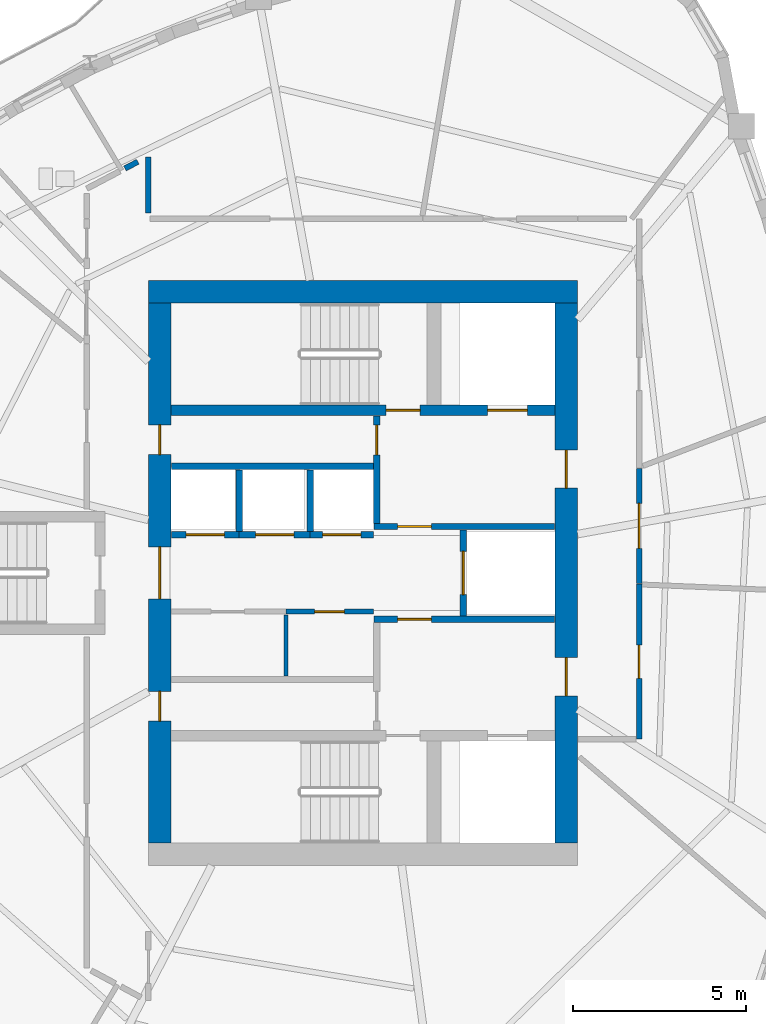
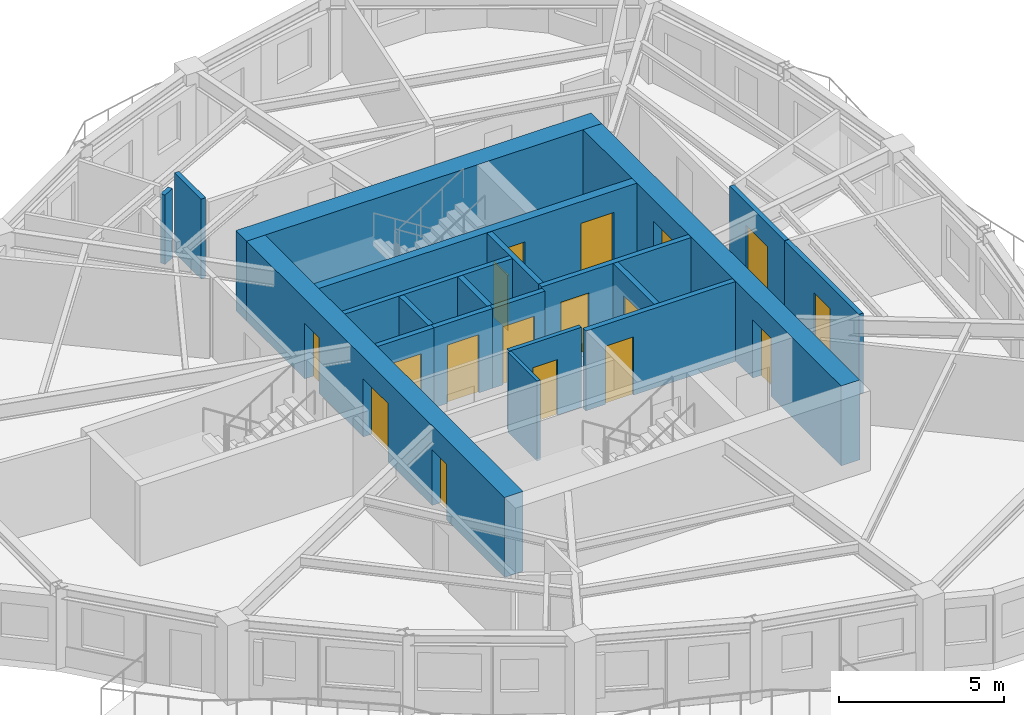
# One storey, part 5 of 11: 20 walls, 17 doors, 17 openings.
"""IFC4 building model written with IfcOpenShell, lengths in metres."""

from ifc_helpers import new_model, si_unit, direction, frame, frame_2d, origin, place, context, subcontext, project, spatial, rectangle, extrude, source, transform, mapped, material, layer, layer_set, type_object, element, fill, save


model = new_model("IFC4")

# Units and contexts
model_context = context("Model", 3, precision=1e-05, world=origin(), true_north=direction((0.0, 1.0)))
body_context = subcontext(model_context, "Body", "Model", "MODEL_VIEW")
ifc_project = project(units=[si_unit("LENGTHUNIT", "METRE"), si_unit("AREAUNIT", "SQUARE_METRE"), si_unit("VOLUMEUNIT", "CUBIC_METRE"), si_unit("PLANEANGLEUNIT", "RADIAN"), si_unit("MASSUNIT", "GRAM", prefix="KILO")], contexts=[model_context])

# Site, building, storey
site_placement = place(None, origin())
site = spatial("IfcSite", under=ifc_project, at=site_placement, CompositionType="ELEMENT")
building_placement = place(site_placement, origin())
building = spatial("IfcBuilding", under=site, at=building_placement, Name="Qafzar Sky-Pleat Residences", CompositionType="ELEMENT")
storey_placement = place(building_placement, frame((0.0, 0.0, 165.0)))
storey = spatial("IfcBuildingStorey", under=building, at=storey_placement, Name="L49", CompositionType="ELEMENT", Elevation=165.0)

# Wall, opening, door
ifc_material_1 = material(Name="Acoustic gypsum plasterboard partition", Category="gypsum")
ifc_layer_1 = layer(ifc_material_1, 0.159912109375)
ifc_layer_set_1 = layer_set([ifc_layer_1], Name="Acoustic gypsum plasterboard partition")
wall_type_1 = type_object("IfcWallType", Name="PART-COR-160", PredefinedType="PARTITIONING", material=ifc_layer_set_1)
wall_1_placement = place(storey_placement, frame((38.330078125, 25.68310546875, 0.0), z_axis=(0.0, 0.0, 1.0), x_axis=(0.0, -1.0, 0.0)))
wall_1 = element("IfcWall", 1, at=wall_1_placement, inside=storey, type_object=wall_type_1, Name="L49 Partition Wall PART-L49-PW-005", PredefinedType="PARTITIONING", context=body_context, shape_type="SweptSolid", body=[
    extrude(rectangle(XDim=4.483154296875, YDim=0.159912109375, at=frame_2d((2.24169921875, 0.0))), origin(), (0.0, 0.0, 1.0), 2.949951171875),
])
opening_1_placement = place(wall_1_placement, frame((1.76904296875, 0.0, 0.0)))
opening_1 = element("IfcOpeningElement", 2, at=opening_1_placement, cuts=wall_1, Name="Opening ID-06", PredefinedType="OPENING", context=body_context, shape_type="SweptSolid", body=[
    extrude(rectangle(XDim=0.9599609375, YDim=2.10009765625, at=frame_2d((0.47998046875, 1.050048828125))), frame((0.0, 0.08984375, 0.0), z_axis=(0.0, -1.0, 0.0), x_axis=(1.0, 0.0, 0.0)), (0.0, 0.0, 1.0), 0.179931640625),
])
ifc_material_2 = material(Name="Timber-faced fire door", Category="wood")
door_type_1 = type_object("IfcDoorType", Name="DR-STD-960", OperationType="NOTDEFINED", PredefinedType="DOOR", material=ifc_material_2)
shared_shape_1 = source(origin(), body_context, "Body", "SweptSolid", [
    extrude(rectangle(XDim=0.9599609375, YDim=2.10009765625, at=frame_2d((0.47998046875, 1.050048828125))), frame((0.0, 0.02490234375, 0.0), z_axis=(0.0, -1.0, 0.0), x_axis=(1.0, 0.0, 0.0)), (0.0, 0.0, 1.0), 0.050048828125),
])
door_1_placement = place(opening_1_placement, origin())
door_1 = element("IfcDoor", 3, at=door_1_placement, inside=storey, type_object=door_type_1, Name="L49 Wellness Yoga Studio Door", OperationType="SINGLE_SWING_RIGHT", OverallHeight=2.10009765625, OverallWidth=0.9599609375, PredefinedType="DOOR", context=body_context, shape_type="MappedRepresentation", body=[
    mapped(shared_shape_1, transform((0.0, 0.0, 0.0), x_axis=(1.0, 0.0, 0.0), y_axis=(0.0, 1.0, 0.0), z_axis=(0.0, 0.0, 1.0), scale=1.0)),
])
fill(opening_1, door_1)

wall_2_placement = place(storey_placement, frame((38.330078125, 29.01904296875, 0.0), z_axis=(0.0, 0.0, 1.0), x_axis=(0.0, -1.0, 0.0)))
wall_2 = element("IfcWall", 4, at=wall_2_placement, inside=storey, type_object=wall_type_1, Name="L49 Partition Wall PART-L49-PW-007", PredefinedType="PARTITIONING", context=body_context, shape_type="SweptSolid", body=[
    extrude(rectangle(XDim=3.321044921875, YDim=0.159912109375, at=frame_2d((1.66064453125, 0.0))), origin(), (0.0, 0.0, 1.0), 2.949951171875),
])
opening_2_placement = place(wall_2_placement, frame((1.010498046875, 0.0, 0.0)))
opening_2 = element("IfcOpeningElement", 5, at=opening_2_placement, cuts=wall_2, Name="Opening ID-05", PredefinedType="OPENING", context=body_context, shape_type="SweptSolid", body=[
    extrude(rectangle(XDim=1.300048828125, YDim=2.10009765625, at=frame_2d((0.64990234375, 1.050048828125))), frame((0.0, 0.08984375, 0.0), z_axis=(0.0, -1.0, 0.0), x_axis=(1.0, 0.0, 0.0)), (0.0, 0.0, 1.0), 0.179931640625),
])
door_type_2 = type_object("IfcDoorType", Name="DR-LNG-1300", OperationType="DOUBLE_DOOR_SINGLE_SWING", PredefinedType="DOOR", material=ifc_material_2)
shared_shape_2 = source(origin(), body_context, "Body", "SweptSolid", [
    extrude(rectangle(XDim=1.300048828125, YDim=2.10009765625, at=frame_2d((0.64990234375, 1.050048828125))), frame((0.0, 0.02490234375, 0.0), z_axis=(0.0, -1.0, 0.0), x_axis=(1.0, 0.0, 0.0)), (0.0, 0.0, 1.0), 0.050048828125),
])
door_2_placement = place(opening_2_placement, origin())
door_2 = element("IfcDoor", 6, at=door_2_placement, inside=storey, type_object=door_type_2, Name="L49 Co-Living Lounge Door", OperationType="DOUBLE_DOOR_SINGLE_SWING", OverallHeight=2.10009765625, OverallWidth=1.300048828125, PredefinedType="DOOR", context=body_context, shape_type="MappedRepresentation", body=[
    mapped(shared_shape_2, transform((0.0, 0.0, 0.0), x_axis=(1.0, 0.0, 0.0), y_axis=(0.0, 1.0, 0.0), z_axis=(0.0, 0.0, 1.0), scale=1.0)),
])
fill(opening_2, door_2)

# Walls
wall_3_placement = place(storey_placement, frame((24.14990234375, 36.404052734375, 0.0), z_axis=(0.0, 0.0, 1.0), x_axis=(0.0, 1.0, 0.0)))
element("IfcWall", 7, at=wall_3_placement, inside=storey, type_object=wall_type_1, Name="L49 Partition Wall PART-L49-PW-023", PredefinedType="PARTITIONING", context=body_context, shape_type="SweptSolid", body=[
    extrude(rectangle(XDim=1.61083984375, YDim=0.159912109375, at=frame_2d((0.805419921875, 0.0))), origin(), (0.0, 0.0, 1.0), 2.949951171875),
])
wall_4_placement = place(storey_placement, frame((23.4716796875, 37.686279296875, 0.0), z_axis=(0.0, 0.0, 1.0), x_axis=(0.884564737935, 0.466417435782, 0.0)))
element("IfcWall", 8, at=wall_4_placement, inside=storey, type_object=wall_type_1, Name="L49 Partition Wall PART-L49-PW-029", PredefinedType="PARTITIONING", context=body_context, shape_type="SweptSolid", body=[
    extrude(rectangle(XDim=0.419677734375, YDim=0.159912109375, at=frame_2d((0.2099609375, 0.0))), origin(), (0.0, 0.0, 1.0), 2.55810546875),
])

# Wall, opening, door
ifc_material_3 = material(Name="Concrete blockwork partition", Category="masonry")
ifc_layer_2 = layer(ifc_material_3, 0.179931640625)
ifc_layer_set_2 = layer_set([ifc_layer_2], Name="Concrete blockwork partition")
wall_type_2 = type_object("IfcWallType", Name="PART-SHAFT-180", PredefinedType="PARTITIONING", material=ifc_layer_set_2)
wall_5_placement = place(storey_placement, frame((30.669921875, 24.659912109375, 0.0), z_axis=(0.0, 0.0, 1.0), x_axis=(1.0, 0.0, 0.0)))
wall_5 = element("IfcWall", 9, at=wall_5_placement, inside=storey, type_object=wall_type_2, Name="L49 Partition Wall PART-L49-FFL1-N", PredefinedType="PARTITIONING", context=body_context, shape_type="SweptSolid", body=[
    extrude(rectangle(XDim=5.219970703125, YDim=0.179931640625, at=frame_2d((2.60986328125, 0.0))), origin(), (0.0, 0.0, 1.0), 2.949951171875),
])
opening_3_placement = place(wall_5_placement, frame((0.679931640625, 0.0, 0.0)))
opening_3 = element("IfcOpeningElement", 10, at=opening_3_placement, cuts=wall_5, Name="Opening ID-01", PredefinedType="OPENING", context=body_context, shape_type="SweptSolid", body=[
    extrude(rectangle(XDim=0.97998046875, YDim=2.14990234375, at=frame_2d((0.489990234375, 1.074951171875))), frame((0.0, 0.10009765625, 0.0), z_axis=(0.0, -1.0, 0.0), x_axis=(1.0, 0.0, 0.0)), (0.0, 0.0, 1.0), 0.199951171875),
])
door_type_3 = type_object("IfcDoorType", Name="DR-STAIR-980", OperationType="NOTDEFINED", PredefinedType="DOOR", material=ifc_material_2)
shared_shape_3 = source(origin(), body_context, "Body", "SweptSolid", [
    extrude(rectangle(XDim=0.97998046875, YDim=2.14990234375, at=frame_2d((0.489990234375, 1.074951171875))), frame((0.0, 0.02490234375, 0.0), z_axis=(0.0, -1.0, 0.0), x_axis=(1.0, 0.0, 0.0)), (0.0, 0.0, 1.0), 0.050048828125),
])
door_3_placement = place(opening_3_placement, origin())
door_3 = element("IfcDoor", 11, at=door_3_placement, inside=storey, type_object=door_type_3, Name="L49 Lift Lobby to South Firefighting Lobby Door", OperationType="SINGLE_SWING_LEFT", OverallHeight=2.14990234375, OverallWidth=0.97998046875, PredefinedType="DOOR", context=body_context, shape_type="MappedRepresentation", body=[
    mapped(shared_shape_3, transform((0.0, 0.0, 0.0), x_axis=(1.0, 0.0, 0.0), y_axis=(0.0, 1.0, 0.0), z_axis=(0.0, 0.0, 1.0), scale=1.0)),
])
fill(opening_3, door_3)

wall_6_placement = place(storey_placement, frame((30.75, 27.429931640625, 0.0), z_axis=(0.0, 0.0, 1.0), x_axis=(0.0, 1.0, 0.0)))
wall_6 = element("IfcWall", 12, at=wall_6_placement, inside=storey, type_object=wall_type_2, Name="L49 Partition Wall PART-L49-FFL2-W", PredefinedType="PARTITIONING", context=body_context, shape_type="SweptSolid", body=[
    extrude(rectangle(XDim=3.110107421875, YDim=0.179931640625, at=frame_2d((1.55517578125, 0.0))), origin(), (0.0, 0.0, 1.0), 2.949951171875),
])
opening_4_placement = place(wall_6_placement, frame((1.97998046875, 0.0, 0.0)))
opening_4 = element("IfcOpeningElement", 13, at=opening_4_placement, cuts=wall_6, Name="Opening ID-09", PredefinedType="OPENING", context=body_context, shape_type="SweptSolid", body=[
    extrude(rectangle(XDim=0.860107421875, YDim=2.050048828125, at=frame_2d((0.43017578125, 1.02490234375))), frame((0.0, 0.10009765625, 0.0), z_axis=(0.0, -1.0, 0.0), x_axis=(1.0, 0.0, 0.0)), (0.0, 0.0, 1.0), 0.199951171875),
])
door_type_4 = type_object("IfcDoorType", Name="DR-SVC-860", OperationType="NOTDEFINED", PredefinedType="DOOR", material=ifc_material_2)
shared_shape_4 = source(origin(), body_context, "Body", "SweptSolid", [
    extrude(rectangle(XDim=0.860107421875, YDim=2.050048828125, at=frame_2d((0.43017578125, 1.02490234375))), frame((0.0, 0.02490234375, 0.0), z_axis=(0.0, -1.0, 0.0), x_axis=(1.0, 0.0, 0.0)), (0.0, 0.0, 1.0), 0.050048828125),
])
door_4_placement = place(opening_4_placement, origin())
door_4 = element("IfcDoor", 14, at=door_4_placement, inside=storey, type_object=door_type_4, Name="L49 North Core Cupboard Door", OperationType="SINGLE_SWING_RIGHT", OverallHeight=2.050048828125, OverallWidth=0.860107421875, PredefinedType="DOOR", context=body_context, shape_type="MappedRepresentation", body=[
    mapped(shared_shape_4, transform((0.0, 0.0, 0.0), x_axis=(1.0, 0.0, 0.0), y_axis=(0.0, 1.0, 0.0), z_axis=(0.0, 0.0, 1.0), scale=1.0)),
])
fill(opening_4, door_4)

wall_7_placement = place(storey_placement, frame((30.669921875, 27.340087890625, 0.0), z_axis=(0.0, 0.0, 1.0), x_axis=(1.0, 0.0, 0.0)))
wall_7 = element("IfcWall", 15, at=wall_7_placement, inside=storey, type_object=wall_type_2, Name="L49 Partition Wall PART-L49-FFL2-S", PredefinedType="PARTITIONING", context=body_context, shape_type="SweptSolid", body=[
    extrude(rectangle(XDim=5.219970703125, YDim=0.179931640625, at=frame_2d((2.60986328125, 0.0))), origin(), (0.0, 0.0, 1.0), 2.949951171875),
])
opening_5_placement = place(wall_7_placement, frame((0.679931640625, 0.0, 0.0)))
opening_5 = element("IfcOpeningElement", 16, at=opening_5_placement, cuts=wall_7, Name="Opening ID-01", PredefinedType="OPENING", context=body_context, shape_type="SweptSolid", body=[
    extrude(rectangle(XDim=0.97998046875, YDim=2.14990234375, at=frame_2d((0.489990234375, 1.074951171875))), frame((0.0, 0.10009765625, 0.0), z_axis=(0.0, -1.0, 0.0), x_axis=(1.0, 0.0, 0.0)), (0.0, 0.0, 1.0), 0.199951171875),
])
door_5_placement = place(opening_5_placement, origin())
door_5 = element("IfcDoor", 17, at=door_5_placement, inside=storey, type_object=door_type_3, Name="L49 Lift Lobby to North Firefighting Lobby Door", OperationType="SINGLE_SWING_LEFT", OverallHeight=2.14990234375, OverallWidth=0.97998046875, PredefinedType="DOOR", context=body_context, shape_type="MappedRepresentation", body=[
    mapped(shared_shape_3, transform((0.0, 0.0, 0.0), x_axis=(1.0, 0.0, 0.0), y_axis=(0.0, 1.0, 0.0), z_axis=(0.0, 0.0, 1.0), scale=1.0)),
])
fill(opening_5, door_5)

wall_8_placement = place(storey_placement, frame((33.25, 24.760009765625, 0.0), z_axis=(0.0, 0.0, 1.0), x_axis=(0.0, 1.0, 0.0)))
wall_8 = element("IfcWall", 18, at=wall_8_placement, inside=storey, type_object=wall_type_2, Name="L49 Partition Wall PART-L49-SV1-W", PredefinedType="PARTITIONING", context=body_context, shape_type="SweptSolid", body=[
    extrude(rectangle(XDim=2.47998046875, YDim=0.179931640625, at=frame_2d((1.239990234375, 0.0))), origin(), (0.0, 0.0, 1.0), 2.949951171875),
])
opening_6_placement = place(wall_8_placement, frame((0.614990234375, 0.0, 0.0)))
opening_6 = element("IfcOpeningElement", 19, at=opening_6_placement, cuts=wall_8, Name="Opening LD-03", PredefinedType="OPENING", context=body_context, shape_type="SweptSolid", body=[
    extrude(rectangle(XDim=1.25, YDim=2.14990234375, at=frame_2d((0.625, 1.074951171875))), frame((0.0, 0.10009765625, 0.0), z_axis=(0.0, -1.0, 0.0), x_axis=(1.0, 0.0, 0.0)), (0.0, 0.0, 1.0), 0.199951171875),
])
ifc_material_4 = material(Name="Stainless steel sliding landing door", Category="steel")
door_type_5 = type_object("IfcDoorType", Name="DR-LIFT-SV", OperationType="DOUBLE_DOOR_SLIDING", PredefinedType="DOOR", material=ifc_material_4)
shared_shape_5 = source(origin(), body_context, "Body", "SweptSolid", [
    extrude(rectangle(XDim=1.25, YDim=2.14990234375, at=frame_2d((0.625, 1.074951171875))), frame((0.0, 0.02490234375, 0.0), z_axis=(0.0, -1.0, 0.0), x_axis=(1.0, 0.0, 0.0)), (0.0, 0.0, 1.0), 0.050048828125),
])
door_6_placement = place(opening_6_placement, origin())
door_6 = element("IfcDoor", 20, at=door_6_placement, inside=storey, type_object=door_type_5, Name="L49 Service Lift SV1 Landing Door", OperationType="DOUBLE_DOOR_SLIDING", OverallHeight=2.14990234375, OverallWidth=1.25, PredefinedType="DOOR", context=body_context, shape_type="MappedRepresentation", body=[
    mapped(shared_shape_5, transform((0.0, 0.0, 0.0), x_axis=(1.0, 0.0, 0.0), y_axis=(0.0, 1.0, 0.0), z_axis=(0.0, 0.0, 1.0), scale=1.0)),
])
fill(opening_6, door_6)

# Wall
wall_9_placement = place(storey_placement, frame((24.81005859375, 29.080078125, 0.0), z_axis=(0.0, 0.0, 1.0), x_axis=(1.0, 0.0, 0.0)))
element("IfcWall", 21, at=wall_9_placement, inside=storey, type_object=wall_type_2, Name="L49 Partition Wall PART-L49-P46-N", PredefinedType="PARTITIONING", context=body_context, shape_type="SweptSolid", body=[
    extrude(rectangle(XDim=5.83984375, YDim=0.179931640625, at=frame_2d((2.919921875, 0.0))), origin(), (0.0, 0.0, 1.0), 2.949951171875),
])

# Wall, opening, door
wall_10_placement = place(storey_placement, frame((24.81005859375, 27.10009765625, 0.0), z_axis=(0.0, 0.0, 1.0), x_axis=(1.0, 0.0, 0.0)))
wall_10 = element("IfcWall", 22, at=wall_10_placement, inside=storey, type_object=wall_type_2, Name="L49 Partition Wall PART-L49-P4-S", PredefinedType="PARTITIONING", context=body_context, shape_type="SweptSolid", body=[
    extrude(rectangle(XDim=1.96484375, YDim=0.179931640625, at=frame_2d((0.982421875, 0.0))), origin(), (0.0, 0.0, 1.0), 2.949951171875),
])
opening_7_placement = place(wall_10_placement, frame((0.4326171875, 0.0, 0.0)))
opening_7 = element("IfcOpeningElement", 23, at=opening_7_placement, cuts=wall_10, Name="Opening LD-01", PredefinedType="OPENING", context=body_context, shape_type="SweptSolid", body=[
    extrude(rectangle(XDim=1.10009765625, YDim=2.14990234375, at=frame_2d((0.550048828125, 1.074951171875))), frame((0.0, 0.10009765625, 0.0), z_axis=(0.0, -1.0, 0.0), x_axis=(1.0, 0.0, 0.0)), (0.0, 0.0, 1.0), 0.199951171875),
])
door_type_6 = type_object("IfcDoorType", Name="DR-LIFT-P", OperationType="DOUBLE_DOOR_SLIDING", PredefinedType="DOOR", material=ifc_material_4)
shared_shape_6 = source(origin(), body_context, "Body", "SweptSolid", [
    extrude(rectangle(XDim=1.10009765625, YDim=2.14990234375, at=frame_2d((0.550048828125, 1.074951171875))), frame((0.0, 0.02490234375, 0.0), z_axis=(0.0, -1.0, 0.0), x_axis=(1.0, 0.0, 0.0)), (0.0, 0.0, 1.0), 0.050048828125),
])
door_7_placement = place(opening_7_placement, origin())
door_7 = element("IfcDoor", 24, at=door_7_placement, inside=storey, type_object=door_type_6, Name="L49 Passenger Lift P4 Landing Door", OperationType="DOUBLE_DOOR_SLIDING", OverallHeight=2.14990234375, OverallWidth=1.10009765625, PredefinedType="DOOR", context=body_context, shape_type="MappedRepresentation", body=[
    mapped(shared_shape_6, transform((0.0, 0.0, 0.0), x_axis=(1.0, 0.0, 0.0), y_axis=(0.0, 1.0, 0.0), z_axis=(0.0, 0.0, 1.0), scale=1.0)),
])
fill(opening_7, door_7)

wall_11_placement = place(storey_placement, frame((26.77490234375, 27.10009765625, 0.0), z_axis=(0.0, 0.0, 1.0), x_axis=(1.0, 0.0, 0.0)))
wall_11 = element("IfcWall", 25, at=wall_11_placement, inside=storey, type_object=wall_type_2, Name="L49 Partition Wall PART-L49-P5-S", PredefinedType="PARTITIONING", context=body_context, shape_type="SweptSolid", body=[
    extrude(rectangle(XDim=2.050048828125, YDim=0.179931640625, at=frame_2d((1.02490234375, 0.0))), origin(), (0.0, 0.0, 1.0), 2.949951171875),
])
opening_8_placement = place(wall_11_placement, frame((0.47509765625, 0.0, 0.0)))
opening_8 = element("IfcOpeningElement", 26, at=opening_8_placement, cuts=wall_11, Name="Opening LD-01", PredefinedType="OPENING", context=body_context, shape_type="SweptSolid", body=[
    extrude(rectangle(XDim=1.10009765625, YDim=2.14990234375, at=frame_2d((0.550048828125, 1.074951171875))), frame((0.0, 0.10009765625, 0.0), z_axis=(0.0, -1.0, 0.0), x_axis=(1.0, 0.0, 0.0)), (0.0, 0.0, 1.0), 0.199951171875),
])
door_8_placement = place(opening_8_placement, origin())
door_8 = element("IfcDoor", 27, at=door_8_placement, inside=storey, type_object=door_type_6, Name="L49 Passenger Lift P5 Landing Door", OperationType="DOUBLE_DOOR_SLIDING", OverallHeight=2.14990234375, OverallWidth=1.10009765625, PredefinedType="DOOR", context=body_context, shape_type="MappedRepresentation", body=[
    mapped(shared_shape_6, transform((0.0, 0.0, 0.0), x_axis=(1.0, 0.0, 0.0), y_axis=(0.0, 1.0, 0.0), z_axis=(0.0, 0.0, 1.0), scale=1.0)),
])
fill(opening_8, door_8)

# Wall
wall_12_placement = place(storey_placement, frame((26.77490234375, 27.199951171875, 0.0), z_axis=(0.0, 0.0, 1.0), x_axis=(0.0, 1.0, 0.0)))
element("IfcWall", 28, at=wall_12_placement, inside=storey, type_object=wall_type_2, Name="L49 Partition Wall PART-L49-P46-DIV-1", PredefinedType="PARTITIONING", context=body_context, shape_type="SweptSolid", body=[
    extrude(rectangle(XDim=1.780029296875, YDim=0.179931640625, at=frame_2d((0.89013671875, 0.0))), origin(), (0.0, 0.0, 1.0), 2.949951171875),
])

# Wall, opening, door
wall_13_placement = place(storey_placement, frame((28.824951171875, 27.10009765625, 0.0), z_axis=(0.0, 0.0, 1.0), x_axis=(1.0, 0.0, 0.0)))
wall_13 = element("IfcWall", 29, at=wall_13_placement, inside=storey, type_object=wall_type_2, Name="L49 Partition Wall PART-L49-P6-S", PredefinedType="PARTITIONING", context=body_context, shape_type="SweptSolid", body=[
    extrude(rectangle(XDim=1.824951171875, YDim=0.179931640625, at=frame_2d((0.91259765625, 0.0))), origin(), (0.0, 0.0, 1.0), 2.949951171875),
])
opening_9_placement = place(wall_13_placement, frame((0.362548828125, 0.0, 0.0)))
opening_9 = element("IfcOpeningElement", 30, at=opening_9_placement, cuts=wall_13, Name="Opening LD-01", PredefinedType="OPENING", context=body_context, shape_type="SweptSolid", body=[
    extrude(rectangle(XDim=1.10009765625, YDim=2.14990234375, at=frame_2d((0.550048828125, 1.074951171875))), frame((0.0, 0.10009765625, 0.0), z_axis=(0.0, -1.0, 0.0), x_axis=(1.0, 0.0, 0.0)), (0.0, 0.0, 1.0), 0.199951171875),
])
door_9_placement = place(opening_9_placement, origin())
door_9 = element("IfcDoor", 31, at=door_9_placement, inside=storey, type_object=door_type_6, Name="L49 Passenger Lift P6 Landing Door", OperationType="DOUBLE_DOOR_SLIDING", OverallHeight=2.14990234375, OverallWidth=1.10009765625, PredefinedType="DOOR", context=body_context, shape_type="MappedRepresentation", body=[
    mapped(shared_shape_6, transform((0.0, 0.0, 0.0), x_axis=(1.0, 0.0, 0.0), y_axis=(0.0, 1.0, 0.0), z_axis=(0.0, 0.0, 1.0), scale=1.0)),
])
fill(opening_9, door_9)

# Walls
wall_14_placement = place(storey_placement, frame((28.824951171875, 27.199951171875, 0.0), z_axis=(0.0, 0.0, 1.0), x_axis=(0.0, 1.0, 0.0)))
element("IfcWall", 32, at=wall_14_placement, inside=storey, type_object=wall_type_2, Name="L49 Partition Wall PART-L49-P46-DIV-2", PredefinedType="PARTITIONING", context=body_context, shape_type="SweptSolid", body=[
    extrude(rectangle(XDim=1.780029296875, YDim=0.179931640625, at=frame_2d((0.89013671875, 0.0))), origin(), (0.0, 0.0, 1.0), 2.949951171875),
])
ifc_material_5 = material(Name="Gypsum plasterboard partition", Category="gypsum")
ifc_layer_3 = layer(ifc_material_5, 0.114990234375)
ifc_layer_set_3 = layer_set([ifc_layer_3], Name="Gypsum plasterboard partition")
wall_type_3 = type_object("IfcWallType", Name="PART-SVC-115", PredefinedType="PARTITIONING", material=ifc_layer_set_3)
wall_15_placement = place(storey_placement, frame((28.125, 23.02001953125, 0.0), z_axis=(0.0, 0.0, 1.0), x_axis=(0.0, 1.0, 0.0)))
element("IfcWall", 33, at=wall_15_placement, inside=storey, type_object=wall_type_3, Name="L49 Partition Wall PART-L49-RECLAIM-DIV", PredefinedType="PARTITIONING", context=body_context, shape_type="SweptSolid", body=[
    extrude(rectangle(XDim=1.77001953125, YDim=0.114990234375, at=frame_2d((0.885009765625, 0.0))), origin(), (0.0, 0.0, 1.0), 2.949951171875),
])

# Wall, opening, door
ifc_layer_4 = layer(ifc_material_1, 0.14501953125)
ifc_layer_set_4 = layer_set([ifc_layer_4], Name="Acoustic gypsum plasterboard partition")
wall_type_4 = type_object("IfcWallType", Name="PART-UNIT-145", PredefinedType="PARTITIONING", material=ifc_layer_set_4)
wall_16_placement = place(storey_placement, frame((28.1298828125, 24.8798828125, 0.0), z_axis=(0.0, 0.0, 1.0), x_axis=(1.0, 0.0, 0.0)))
wall_16 = element("IfcWall", 34, at=wall_16_placement, inside=storey, type_object=wall_type_4, Name="L49 Partition Wall PART-L49-RECLAIM-N2", PredefinedType="PARTITIONING", context=body_context, shape_type="SweptSolid", body=[
    extrude(rectangle(XDim=2.52001953125, YDim=0.14501953125, at=frame_2d((1.260009765625, 0.0))), origin(), (0.0, 0.0, 1.0), 2.949951171875),
])
opening_10_placement = place(wall_16_placement, frame((0.820068359375, 0.0, 0.0)))
opening_10 = element("IfcOpeningElement", 35, at=opening_10_placement, cuts=wall_16, Name="Opening ID-09", PredefinedType="OPENING", context=body_context, shape_type="SweptSolid", body=[
    extrude(rectangle(XDim=0.860107421875, YDim=2.050048828125, at=frame_2d((0.43017578125, 1.02490234375))), frame((0.0, 0.08251953125, 0.0), z_axis=(0.0, -1.0, 0.0), x_axis=(1.0, 0.0, 0.0)), (0.0, 0.0, 1.0), 0.1650390625),
])
door_10_placement = place(opening_10_placement, origin())
door_10 = element("IfcDoor", 36, at=door_10_placement, inside=storey, type_object=door_type_4, Name="L49 Reclaimed Linen Cupboard Door", OperationType="SINGLE_SWING_LEFT", OverallHeight=2.050048828125, OverallWidth=0.860107421875, PredefinedType="DOOR", context=body_context, shape_type="MappedRepresentation", body=[
    mapped(shared_shape_4, transform((0.0, 0.0, 0.0), x_axis=(1.0, 0.0, 0.0), y_axis=(0.0, 1.0, 0.0), z_axis=(0.0, 0.0, 1.0), scale=1.0)),
])
fill(opening_10, door_10)

# Wall, openings, doors
ifc_material_6 = material(Name="Concrete C60/75", Category="concrete")
ifc_layer_5 = layer(ifc_material_6, 0.300048828125)
ifc_layer_set_5 = layer_set([ifc_layer_5], Name="Concrete C60/75")
wall_type_5 = type_object("IfcWallType", Name="WALL-SHEAR-300", PredefinedType="SHEAR", material=ifc_layer_set_5)
wall_17_placement = place(storey_placement, frame((24.800048828125, 30.699951171875, 0.0), z_axis=(0.0, 0.0, 1.0), x_axis=(1.0, 0.0, 0.0)))
wall_17 = element("IfcWall", 37, at=wall_17_placement, inside=storey, type_object=wall_type_5, Name="L49 Stair ST2 and FF2 Shaft South Wall", PredefinedType="SHEAR", context=body_context, shape_type="SweptSolid", body=[
    extrude(rectangle(XDim=11.099853515625, YDim=0.300048828125, at=frame_2d((5.5498046875, 0.0))), origin(), (0.0, 0.0, 1.0), 2.949951171875),
])
opening_11_placement = place(wall_17_placement, frame((6.219970703125, 0.0, 0.0)))
opening_11 = element("IfcOpeningElement", 38, at=opening_11_placement, cuts=wall_17, Name="Opening ID-01", PredefinedType="OPENING", context=body_context, shape_type="SweptSolid", body=[
    extrude(rectangle(XDim=0.97998046875, YDim=2.14990234375, at=frame_2d((0.489990234375, 1.074951171875))), frame((0.0, 0.16015625, 0.0), z_axis=(0.0, -1.0, 0.0), x_axis=(1.0, 0.0, 0.0)), (0.0, 0.0, 1.0), 0.320068359375),
])
opening_12_placement = place(wall_17_placement, frame((9.14990234375, 0.0, 0.0)))
opening_12 = element("IfcOpeningElement", 39, at=opening_12_placement, cuts=wall_17, Name="Opening LD-02", PredefinedType="OPENING", context=body_context, shape_type="SweptSolid", body=[
    extrude(rectangle(XDim=1.14990234375, YDim=2.14990234375, at=frame_2d((0.574951171875, 1.074951171875))), frame((0.0, 0.16015625, 0.0), z_axis=(0.0, -1.0, 0.0), x_axis=(1.0, 0.0, 0.0)), (0.0, 0.0, 1.0), 0.320068359375),
])
door_11_placement = place(opening_11_placement, origin())
door_11 = element("IfcDoor", 40, at=door_11_placement, inside=storey, type_object=door_type_3, Name="L49 Stair ST2 Fire Door", OperationType="SINGLE_SWING_RIGHT", OverallHeight=2.14990234375, OverallWidth=0.97998046875, PredefinedType="DOOR", context=body_context, shape_type="MappedRepresentation", body=[
    mapped(shared_shape_3, transform((0.0, 0.0, 0.0), x_axis=(1.0, 0.0, 0.0), y_axis=(0.0, 1.0, 0.0), z_axis=(0.0, 0.0, 1.0), scale=1.0)),
])
fill(opening_11, door_11)
door_type_7 = type_object("IfcDoorType", Name="DR-LIFT-FF", OperationType="DOUBLE_DOOR_SLIDING", PredefinedType="DOOR", material=ifc_material_4)
shared_shape_7 = source(origin(), body_context, "Body", "SweptSolid", [
    extrude(rectangle(XDim=1.14990234375, YDim=2.14990234375, at=frame_2d((0.574951171875, 1.074951171875))), frame((0.0, 0.02490234375, 0.0), z_axis=(0.0, -1.0, 0.0), x_axis=(1.0, 0.0, 0.0)), (0.0, 0.0, 1.0), 0.050048828125),
])
door_12_placement = place(opening_12_placement, origin())
door_12 = element("IfcDoor", 41, at=door_12_placement, inside=storey, type_object=door_type_7, Name="L49 Firefighting Lift FF2 Landing Door", OperationType="DOUBLE_DOOR_SLIDING", OverallHeight=2.14990234375, OverallWidth=1.14990234375, PredefinedType="DOOR", context=body_context, shape_type="MappedRepresentation", body=[
    mapped(shared_shape_7, transform((0.0, 0.0, 0.0), x_axis=(1.0, 0.0, 0.0), y_axis=(0.0, 1.0, 0.0), z_axis=(0.0, 0.0, 1.0), scale=1.0)),
])
fill(opening_12, door_12)

# Wall
ifc_layer_6 = layer(ifc_material_6, 0.64990234375)
ifc_layer_set_6 = layer_set([ifc_layer_6], Name="Concrete C60/75")
wall_type_6 = type_object("IfcWallType", Name="WALL-SHEAR-650", PredefinedType="SHEAR", material=ifc_layer_set_6)
wall_18_placement = place(storey_placement, frame((36.550048828125, 34.125, 0.0), z_axis=(0.0, 0.0, 1.0), x_axis=(-1.0, 0.0, 0.0)))
element("IfcWall", 42, at=wall_18_placement, inside=storey, type_object=wall_type_6, Name="L49 CORE wall N", PredefinedType="SHEAR", context=body_context, shape_type="SweptSolid", body=[
    extrude(rectangle(XDim=12.400146484375, YDim=0.64990234375, at=frame_2d((6.2001953125, 0.0))), origin(), (0.0, 0.0, 1.0), 2.949951171875),
])

# Wall, openings, doors
wall_19_placement = place(storey_placement, frame((24.47509765625, 33.800048828125, 0.0), z_axis=(0.0, 0.0, 1.0), x_axis=(0.0, -1.0, 0.0)))
wall_19 = element("IfcWall", 43, at=wall_19_placement, inside=storey, type_object=wall_type_6, Name="L49 CORE wall W", PredefinedType="SHEAR", context=body_context, shape_type="SweptSolid", body=[
    extrude(rectangle(XDim=15.60009765625, YDim=0.64990234375, at=frame_2d((7.800048828125, 0.0))), origin(), (0.0, 0.0, 1.0), 2.949951171875),
])
opening_13_placement = place(wall_19_placement, frame((7.050048828125, 0.0, 0.0)))
opening_13 = element("IfcOpeningElement", 44, at=opening_13_placement, cuts=wall_19, Name="Opening ID-03", PredefinedType="OPENING", context=body_context, shape_type="SweptSolid", body=[
    extrude(rectangle(XDim=1.5, YDim=2.14990234375, at=frame_2d((0.75, 1.074951171875))), frame((0.0, 0.3349609375, 0.0), z_axis=(0.0, -1.0, 0.0), x_axis=(1.0, 0.0, 0.0)), (0.0, 0.0, 1.0), 0.669921875),
])
opening_14_placement = place(wall_19_placement, frame((3.52001953125, 0.0, 0.0)))
opening_14 = element("IfcOpeningElement", 45, at=opening_14_placement, cuts=wall_19, Name="Opening ID-09", PredefinedType="OPENING", context=body_context, shape_type="SweptSolid", body=[
    extrude(rectangle(XDim=0.860107421875, YDim=2.050048828125, at=frame_2d((0.43017578125, 1.02490234375))), frame((0.0, 0.3349609375, 0.0), z_axis=(0.0, -1.0, 0.0), x_axis=(1.0, 0.0, 0.0)), (0.0, 0.0, 1.0), 0.669921875),
])
opening_15_placement = place(wall_19_placement, frame((11.219970703125, 0.0, 0.0)))
opening_15 = element("IfcOpeningElement", 46, at=opening_15_placement, cuts=wall_19, Name="Opening ID-09", PredefinedType="OPENING", context=body_context, shape_type="SweptSolid", body=[
    extrude(rectangle(XDim=0.860107421875, YDim=2.050048828125, at=frame_2d((0.43017578125, 1.02490234375))), frame((0.0, 0.3349609375, 0.0), z_axis=(0.0, -1.0, 0.0), x_axis=(1.0, 0.0, 0.0)), (0.0, 0.0, 1.0), 0.669921875),
])
door_type_8 = type_object("IfcDoorType", Name="DR-COR-1500", OperationType="DOUBLE_DOOR_SINGLE_SWING", PredefinedType="DOOR", material=ifc_material_2)
shared_shape_8 = source(origin(), body_context, "Body", "SweptSolid", [
    extrude(rectangle(XDim=1.5, YDim=2.14990234375, at=frame_2d((0.75, 1.074951171875))), frame((0.0, 0.02490234375, 0.0), z_axis=(0.0, -1.0, 0.0), x_axis=(1.0, 0.0, 0.0)), (0.0, 0.0, 1.0), 0.050048828125),
])
door_13_placement = place(opening_13_placement, origin())
door_13 = element("IfcDoor", 47, at=door_13_placement, inside=storey, type_object=door_type_8, Name="L49 Lift Lobby West Double Door", OperationType="DOUBLE_DOOR_SINGLE_SWING", OverallHeight=2.14990234375, OverallWidth=1.5, PredefinedType="DOOR", context=body_context, shape_type="MappedRepresentation", body=[
    mapped(shared_shape_8, transform((0.0, 0.0, 0.0), x_axis=(1.0, 0.0, 0.0), y_axis=(0.0, 1.0, 0.0), z_axis=(0.0, 0.0, 1.0), scale=1.0)),
])
fill(opening_13, door_13)
door_14_placement = place(opening_14_placement, origin())
door_14 = element("IfcDoor", 48, at=door_14_placement, inside=storey, type_object=door_type_4, Name="L49 Core North-West Service Door", OperationType="SINGLE_SWING_RIGHT", OverallHeight=2.050048828125, OverallWidth=0.860107421875, PredefinedType="DOOR", context=body_context, shape_type="MappedRepresentation", body=[
    mapped(shared_shape_4, transform((0.0, 0.0, 0.0), x_axis=(1.0, 0.0, 0.0), y_axis=(0.0, 1.0, 0.0), z_axis=(0.0, 0.0, 1.0), scale=1.0)),
])
fill(opening_14, door_14)
door_15_placement = place(opening_15_placement, origin())
door_15 = element("IfcDoor", 49, at=door_15_placement, inside=storey, type_object=door_type_4, Name="L49 Core South-West Service Door", OperationType="SINGLE_SWING_LEFT", OverallHeight=2.050048828125, OverallWidth=0.860107421875, PredefinedType="DOOR", context=body_context, shape_type="MappedRepresentation", body=[
    mapped(shared_shape_4, transform((0.0, 0.0, 0.0), x_axis=(1.0, 0.0, 0.0), y_axis=(0.0, 1.0, 0.0), z_axis=(0.0, 0.0, 1.0), scale=1.0)),
])
fill(opening_15, door_15)

wall_20_placement = place(storey_placement, frame((36.22509765625, 18.199951171875, 0.0), z_axis=(0.0, 0.0, 1.0), x_axis=(0.0, 1.0, 0.0)))
wall_20 = element("IfcWall", 50, at=wall_20_placement, inside=storey, type_object=wall_type_6, Name="L49 CORE wall E", PredefinedType="SHEAR", context=body_context, shape_type="SweptSolid", body=[
    extrude(rectangle(XDim=15.60009765625, YDim=0.64990234375, at=frame_2d((7.800048828125, 0.0))), origin(), (0.0, 0.0, 1.0), 2.949951171875),
])
opening_16_placement = place(wall_20_placement, frame((4.25, 0.0, 0.0)))
opening_16 = element("IfcOpeningElement", 51, at=opening_16_placement, cuts=wall_20, Name="Opening ID-02", PredefinedType="OPENING", context=body_context, shape_type="SweptSolid", body=[
    extrude(rectangle(XDim=1.10009765625, YDim=2.14990234375, at=frame_2d((0.550048828125, 1.074951171875))), frame((0.0, 0.3349609375, 0.0), z_axis=(0.0, -1.0, 0.0), x_axis=(1.0, 0.0, 0.0)), (0.0, 0.0, 1.0), 0.669921875),
])
opening_17_placement = place(wall_20_placement, frame((10.25, 0.0, 0.0)))
opening_17 = element("IfcOpeningElement", 52, at=opening_17_placement, cuts=wall_20, Name="Opening ID-02", PredefinedType="OPENING", context=body_context, shape_type="SweptSolid", body=[
    extrude(rectangle(XDim=1.10009765625, YDim=2.14990234375, at=frame_2d((0.550048828125, 1.074951171875))), frame((0.0, 0.3349609375, 0.0), z_axis=(0.0, -1.0, 0.0), x_axis=(1.0, 0.0, 0.0)), (0.0, 0.0, 1.0), 0.669921875),
])
door_type_9 = type_object("IfcDoorType", Name="DR-FFL-1100", OperationType="NOTDEFINED", PredefinedType="DOOR", material=ifc_material_2)
door_16_placement = place(opening_16_placement, origin())
door_16 = element("IfcDoor", 53, at=door_16_placement, inside=storey, type_object=door_type_9, Name="L49 Firefighting Lobby South Corridor Door", OperationType="SINGLE_SWING_RIGHT", OverallHeight=2.14990234375, OverallWidth=1.10009765625, PredefinedType="DOOR", context=body_context, shape_type="MappedRepresentation", body=[
    mapped(shared_shape_6, transform((0.0, 0.0, 0.0), x_axis=(1.0, 0.0, 0.0), y_axis=(0.0, 1.0, 0.0), z_axis=(0.0, 0.0, 1.0), scale=1.0)),
])
fill(opening_16, door_16)
door_17_placement = place(opening_17_placement, origin())
door_17 = element("IfcDoor", 54, at=door_17_placement, inside=storey, type_object=door_type_9, Name="L49 Firefighting Lobby North Corridor Door", OperationType="SINGLE_SWING_LEFT", OverallHeight=2.14990234375, OverallWidth=1.10009765625, PredefinedType="DOOR", context=body_context, shape_type="MappedRepresentation", body=[
    mapped(shared_shape_6, transform((0.0, 0.0, 0.0), x_axis=(1.0, 0.0, 0.0), y_axis=(0.0, 1.0, 0.0), z_axis=(0.0, 0.0, 1.0), scale=1.0)),
])
fill(opening_17, door_17)

save(model, "model.ifc")
